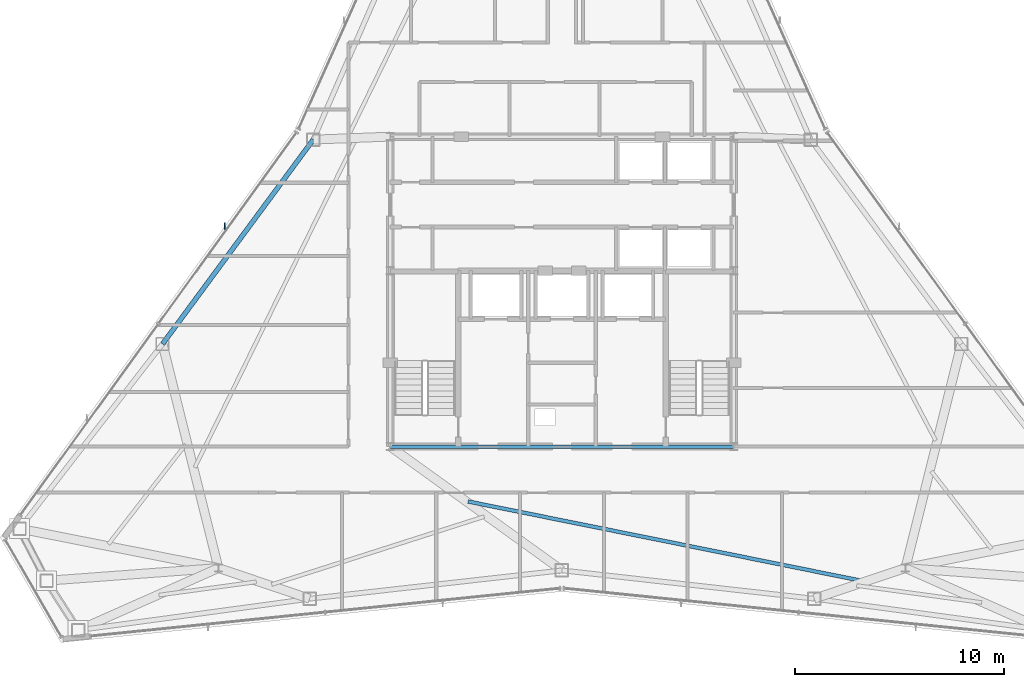
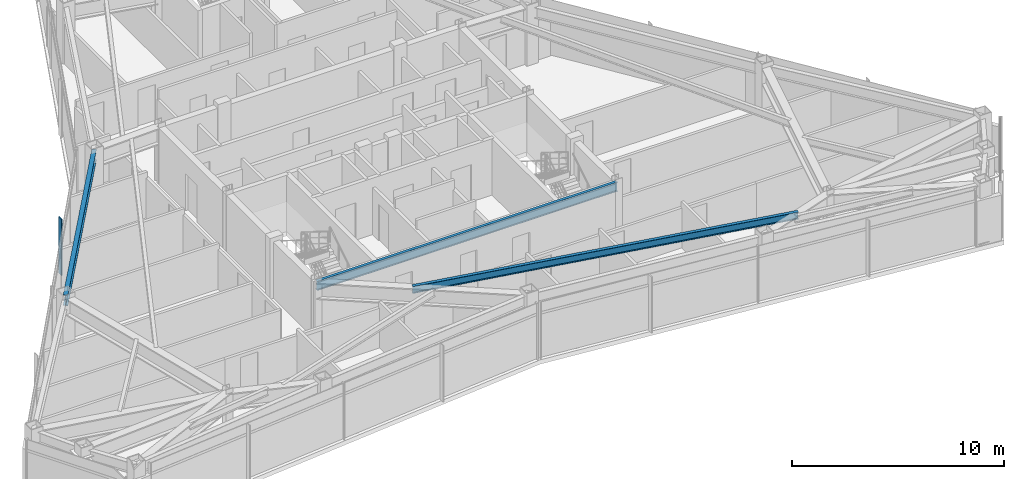
# One storey, part 4 of 12: 3 beams, 1 member, 1 element without a shape of its own.
"""IFC4 building model written with IfcOpenShell, lengths in metres."""

import ifcopenshell
import ifcopenshell.guid

model = None  # the IFC model being written
_history = None  # IfcOwnerHistory: only IFC2X3 demands one
_inside = {}  # id of a spatial element -> (the spatial element, [elements in it])
_under = {}  # id of a project, library or spatial element -> (it, [spatial elements below it])
_declared = {}  # id of a project -> (the project, [libraries it declares])
_typed = {}  # id of a type object -> (the type object, [elements of that type])
_made_of = {}  # id of a material, layer set ... -> (it, [elements and type objects made of it])


def new_model(schema):
    """Start an empty IFC model of exactly this schema.

    Asked for "IFC4X3", IfcOpenShell would pick the latest addendum, in which some entities
    have other attributes; the version numbers below select the first issue.
    IFC2X3 requires an IfcOwnerHistory on every rooted entity: one is made here for all.
    """
    global model, _history
    if schema == "IFC4X3":
        model = ifcopenshell.file(schema_version=(4, 3, 0, 0))
    else:
        model = ifcopenshell.file(schema=schema)
    _inside.clear()
    _under.clear()
    _declared.clear()
    _typed.clear()
    _made_of.clear()
    _history = None
    if model.schema == "IFC2X3":
        org = make("IfcOrganization", Name="unknown")
        user = make(
            "IfcPersonAndOrganization",
            ThePerson=make("IfcPerson", FamilyName="unknown"),
            TheOrganization=org,
        )
        app = make(
            "IfcApplication",
            ApplicationDeveloper=org,
            Version="unknown",
            ApplicationFullName="unknown",
            ApplicationIdentifier="unknown",
        )
        _history = make(
            "IfcOwnerHistory",
            OwningUser=user,
            OwningApplication=app,
            ChangeAction="ADDED",
            CreationDate=0,
        )
    return model


def make(cls, **values):
    """One entity of the class cls with the attributes given. An attribute that is None is left unset."""
    return model.create_entity(
        cls, **{name: value for name, value in values.items() if value is not None}
    )


def rooted(cls, **values):
    """An entity with a GlobalId (a new one), such as an element, a storey or a relation."""
    return make(cls, GlobalId=ifcopenshell.guid.new(), OwnerHistory=_history, **values)


def si_unit(unit_type, name, prefix=None):
    """IfcSIUnit, for example si_unit("LENGTHUNIT", "METRE", prefix="MILLI")."""
    return make("IfcSIUnit", UnitType=unit_type, Prefix=prefix, Name=name)


def assignment(units):
    """IfcUnitAssignment: the units of a project."""
    return None if units is None else make("IfcUnitAssignment", Units=units)


def point(xyz):
    """IfcCartesianPoint."""
    return None if xyz is None else make("IfcCartesianPoint", Coordinates=xyz)


def direction(xyz):
    """IfcDirection."""
    return None if xyz is None else make("IfcDirection", DirectionRatios=xyz)


def frame(location, z_axis=None, x_axis=None):
    """IfcAxis2Placement3D, a coordinate frame: its origin and axes. An axis left out is left unset."""
    return make(
        "IfcAxis2Placement3D",
        Location=point(location),
        Axis=direction(z_axis),
        RefDirection=direction(x_axis),
    )


def frame_2d(location, x_axis=None):
    """IfcAxis2Placement2D, a coordinate frame in the plane: its origin and x axis."""
    return make(
        "IfcAxis2Placement2D", Location=point(location), RefDirection=direction(x_axis)
    )


def origin():
    """The frame at (0, 0, 0) with its axes left unset."""
    return frame((0.0, 0.0, 0.0))


def origin_2d():
    """The frame at (0, 0) in the plane with its x axis left unset."""
    return frame_2d((0.0, 0.0))


def place(relative_to, where):
    """IfcLocalPlacement: puts the frame where relative to a parent placement (None: the world)."""
    return make(
        "IfcLocalPlacement", PlacementRelTo=relative_to, RelativePlacement=where
    )


def context(
    kind, dimensions, precision=None, world=None, true_north=None, identifier=None
):
    """IfcGeometricRepresentationContext, for example the 3D "Model" context."""
    return make(
        "IfcGeometricRepresentationContext",
        ContextIdentifier=identifier,
        ContextType=kind,
        CoordinateSpaceDimension=dimensions,
        Precision=precision,
        WorldCoordinateSystem=world,
        TrueNorth=true_north,
    )


def subcontext(parent, identifier, kind, view, scale=None):
    """IfcGeometricRepresentationSubContext, for example "Body" below "Model"."""
    return make(
        "IfcGeometricRepresentationSubContext",
        ContextIdentifier=identifier,
        ContextType=kind,
        ParentContext=parent,
        TargetScale=scale,
        TargetView=view,
    )


def project(units=None, contexts=None):
    """IfcProject with its units and contexts."""
    return rooted(
        "IfcProject",
        Name="project",
        RepresentationContexts=contexts,
        UnitsInContext=assignment(units),
    )


def spatial(cls, under=None, at=None, **own):
    """A site, building, storey or space (cls), placed at a placement, below another one or the project."""
    s = rooted(cls, ObjectPlacement=at, **own)
    if under is not None:
        _under.setdefault(under.id(), (under, []))[1].append(s)
    return s


def profile(cls, at=None, kind="AREA", **sizes):
    """A parametric profile (cls). Its sizes go by their IFC names, for example OverallWidth=200.0."""
    return make(cls, ProfileType=kind, Position=at, **sizes)


def rectangle(**sizes):
    """IfcRectangleProfileDef."""
    return profile("IfcRectangleProfileDef", **sizes)


def i_section(**sizes):
    """IfcIShapeProfileDef."""
    return profile("IfcIShapeProfileDef", **sizes)


def extrude(swept, where, along, depth):
    """IfcExtrudedAreaSolid: the profile swept, set in the frame where, extruded along a direction by depth."""
    return make(
        "IfcExtrudedAreaSolid",
        SweptArea=swept,
        Position=where,
        ExtrudedDirection=direction(along),
        Depth=depth,
    )


def shape(context_of_items, identifier, shape_type, items):
    """IfcShapeRepresentation: the items that make up one representation, for example the "Body"."""
    return make(
        "IfcShapeRepresentation",
        ContextOfItems=context_of_items,
        RepresentationIdentifier=identifier,
        RepresentationType=shape_type,
        Items=items,
    )


def source(mapping_origin, context_of_items, identifier, shape_type, items):
    """IfcRepresentationMap: a shape defined once, which mapped items show again and again."""
    return make(
        "IfcRepresentationMap",
        MappingOrigin=mapping_origin,
        MappedRepresentation=shape(context_of_items, identifier, shape_type, items),
    )


def transform(
    local_origin,
    x_axis=None,
    y_axis=None,
    z_axis=None,
    scale=None,
    scale2=None,
    scale3=None,
    uniform=True,
):
    """IfcCartesianTransformationOperator3D, or its non-uniform kind. x_axis, y_axis, z_axis: its Axis1, 2, 3."""
    if uniform:
        return make(
            "IfcCartesianTransformationOperator3D",
            Axis1=direction(x_axis),
            Axis2=direction(y_axis),
            LocalOrigin=point(local_origin),
            Scale=scale,
            Axis3=direction(z_axis),
        )
    return make(
        "IfcCartesianTransformationOperator3DnonUniform",
        Axis1=direction(x_axis),
        Axis2=direction(y_axis),
        LocalOrigin=point(local_origin),
        Scale=scale,
        Axis3=direction(z_axis),
        Scale2=scale2,
        Scale3=scale3,
    )


def mapped(mapping_source, mapping_target):
    """IfcMappedItem: shows the shape of a source again, moved by a transform."""
    return make(
        "IfcMappedItem", MappingSource=mapping_source, MappingTarget=mapping_target
    )


def material(Name=None, Category=None):
    """IfcMaterial."""
    return make("IfcMaterial", Name=Name, Category=Category)


def layer(
    of_material, thickness, ventilated=None, Name=None, Category=None, Priority=None
):
    """IfcMaterialLayer: one layer of a wall or slab, of a material (None: an air gap)."""
    return make(
        "IfcMaterialLayer",
        Material=of_material,
        LayerThickness=thickness,
        IsVentilated=ventilated,
        Name=Name,
        Category=Category,
        Priority=Priority,
    )


def layer_set(layers, Name=None):
    """IfcMaterialLayerSet."""
    return make("IfcMaterialLayerSet", MaterialLayers=layers, LayerSetName=Name)


def material_profile(
    of_material, cross_section, Name=None, Category=None, Priority=None
):
    """IfcMaterialProfile: a cross section and its material."""
    return make(
        "IfcMaterialProfile",
        Name=Name,
        Material=of_material,
        Profile=cross_section,
        Priority=Priority,
        Category=Category,
    )


def profile_set(profiles, Name=None, composite=None):
    """IfcMaterialProfileSet."""
    return make(
        "IfcMaterialProfileSet",
        Name=Name,
        MaterialProfiles=profiles,
        CompositeProfile=composite,
    )


def made_of(thing, what):
    """Note that an element or type object is made of a material, layer set ...; save() writes the relation."""
    if what is not None:
        _made_of.setdefault(what.id(), (what, []))[1].append(thing)
    return thing


def type_object(cls, material=None, **own):
    """A type object (cls), such as IfcWallType, which elements share."""
    return made_of(rooted(cls, **own), material)


def type_shapes(of_type, sources):
    """Give a type object the sources (RepresentationMaps) that its elements show as mapped items."""
    of_type.RepresentationMaps = sources


def element(
    cls,
    number,
    at=None,
    inside=None,
    cuts=None,
    type_object=None,
    material=None,
    context=None,
    identifier="Body",
    shape_type=None,
    held_by="IfcProductDefinitionShape",
    body=None,
    shapes=None,
    **own,
):
    """One element of the class cls, such as IfcWall. Its Tag is "e" and its number.

    at: its placement. inside: the storey or other place that contains it. cuts: it is an
    opening in that element (IfcRelVoidsElement). A single representation is given by context,
    identifier, shape_type and body (its items); several are given by shapes. held_by: the class
    of the entity that holds the representations. save() writes the other relations.
    """
    e = rooted(cls, Tag="e%d" % number, ObjectPlacement=at, **own)
    if body is not None:
        shapes = [shape(context, identifier, shape_type, body)]
    if shapes is not None:
        e.Representation = make(held_by, Representations=shapes)
    if inside is not None:
        _inside.setdefault(inside.id(), (inside, []))[1].append(e)
    if cuts is not None:
        rooted(
            "IfcRelVoidsElement", RelatingBuildingElement=cuts, RelatedOpeningElement=e
        )
    if type_object is not None:
        _typed.setdefault(type_object.id(), (type_object, []))[1].append(e)
    return made_of(e, material)


def aggregate(whole, parts):
    """IfcRelAggregates: a whole, such as a stair, and the parts it consists of."""
    return rooted("IfcRelAggregates", RelatingObject=whole, RelatedObjects=parts)


def save(model, path):
    """Write the relations noted so far, then the file.

    IfcRelAggregates (storeys below a building ...), IfcRelContainedInSpatialStructure (elements
    in a storey), IfcRelDefinesByType, IfcRelAssociatesMaterial and IfcRelDeclares: one each for
    every whole, place, type object, material and project.
    """
    for whole, parts in _under.values():
        aggregate(whole, parts)
    for where, things in _inside.values():
        rooted(
            "IfcRelContainedInSpatialStructure",
            RelatedElements=things,
            RelatingStructure=where,
        )
    for kind, things in _typed.values():
        rooted("IfcRelDefinesByType", RelatedObjects=things, RelatingType=kind)
    for what, things in _made_of.values():
        rooted("IfcRelAssociatesMaterial", RelatedObjects=things, RelatingMaterial=what)
    for by, libraries in _declared.values():
        rooted("IfcRelDeclares", RelatingContext=by, RelatedDefinitions=libraries)
    model.write(path)


model = new_model("IFC4")

# Units and contexts
model_context = context("Model", 3, precision=1e-05, world=origin(), true_north=direction((0.0, 1.0)))
body_context = subcontext(model_context, "Body", "Model", "MODEL_VIEW")
ifc_project = project(units=[si_unit("LENGTHUNIT", "METRE"), si_unit("AREAUNIT", "SQUARE_METRE"), si_unit("VOLUMEUNIT", "CUBIC_METRE"), si_unit("PLANEANGLEUNIT", "RADIAN"), si_unit("MASSUNIT", "GRAM", prefix="KILO")], contexts=[model_context])

# Site, building, storey
site_placement = place(None, origin())
site = spatial("IfcSite", under=ifc_project, at=site_placement, CompositionType="ELEMENT")
building_placement = place(site_placement, origin())
building = spatial("IfcBuilding", under=site, at=building_placement, Name="Varakhsha Concourse Tower", CompositionType="ELEMENT")
storey_placement = place(building_placement, frame((0.0, 0.0, 255.0)))
storey = spatial("IfcBuildingStorey", under=building, at=storey_placement, Name="L72", CompositionType="ELEMENT", Elevation=255.0)

# Beams
ifc_material_1 = material(Name="Structural Steel ASTM A992 Grade 50", Category="steel")
ifc_material_profile_1 = material_profile(ifc_material_1, i_section(OverallWidth=0.177978515625, OverallDepth=0.406982421875, WebThickness=0.008056640625, FlangeThickness=0.012939453125, at=origin_2d()), Name="W16X40")
ifc_profile_set_1 = profile_set([ifc_material_profile_1], Name="Structural Steel ASTM A992 Grade 50")
beam_type_1 = type_object("IfcBeamType", Name="BM-JST-W16X40", PredefinedType="JOIST", material=ifc_profile_set_1)
beam_1_placement = place(storey_placement, frame((35.515869140625, 13.77734375, 3.04638671875), z_axis=(0.980297103214, -0.197528705334, 0.0), x_axis=(0.197528705334, 0.980297103214, 0.0)))
element("IfcBeam", 1, at=beam_1_placement, inside=storey, type_object=beam_type_1, Name="BM-TJST-L72-11", PredefinedType="JOIST", context=body_context, shape_type="SweptSolid", body=[
    extrude(i_section(OverallWidth=0.177978515625, OverallDepth=0.406982421875, WebThickness=0.008056640625, FlangeThickness=0.012939453125, at=origin_2d()), origin(), (0.0, 0.0, 1.0), 19.24169921875),
])
ifc_material_profile_2 = material_profile(ifc_material_1, i_section(OverallWidth=0.1669921875, OverallDepth=0.534912109375, WebThickness=0.010009765625, FlangeThickness=0.01708984375, at=origin_2d()), Name="W21X57")
ifc_profile_set_2 = profile_set([ifc_material_profile_2], Name="Structural Steel ASTM A992 Grade 50")
beam_type_2 = type_object("IfcBeamType", Name="BM-RAD-W21X57", PredefinedType="BEAM", material=ifc_profile_set_2)
beam_2_placement = place(storey_placement, frame((31.800048828125, 16.39990234375, 2.982421875), z_axis=(1.0, 0.0, 0.0), x_axis=(0.0, 1.0, 0.0)))
element("IfcBeam", 2, at=beam_2_placement, inside=storey, type_object=beam_type_2, Name="BM-TCORE-L72-CS", PredefinedType="BEAM", context=body_context, shape_type="SweptSolid", body=[
    extrude(i_section(OverallWidth=0.1669921875, OverallDepth=0.534912109375, WebThickness=0.010009765625, FlangeThickness=0.01708984375, at=origin_2d()), origin(), (0.0, 0.0, 1.0), 16.39990234375),
])
ifc_material_profile_3 = material_profile(ifc_material_1, i_section(OverallWidth=0.22900390625, OverallDepth=0.612060546875, WebThickness=0.011962890625, FlangeThickness=0.02001953125, at=origin_2d()), Name="W24X84")
ifc_profile_set_3 = profile_set([ifc_material_profile_3], Name="Structural Steel ASTM A992 Grade 50")
beam_type_3 = type_object("IfcBeamType", Name="BM-SPAN-W24X84", PredefinedType="SPANDREL", material=ifc_profile_set_3)
beam_3_placement = place(storey_placement, frame((28.125732421875, 31.0556640625, 2.944091796875), z_axis=(-0.593635055484, -0.804734379097, 0.0), x_axis=(0.804734379097, -0.593635055484, 0.0)))
element("IfcBeam", 3, at=beam_3_placement, inside=storey, type_object=beam_type_3, Name="BM-SPAN-L72-05", PredefinedType="SPANDREL", context=body_context, shape_type="SweptSolid", body=[
    extrude(i_section(OverallWidth=0.22900390625, OverallDepth=0.612060546875, WebThickness=0.011962890625, FlangeThickness=0.02001953125, at=origin_2d()), origin(), (0.0, 0.0, 1.0), 12.126220703125),
])

# Curtain wall, member
ifc_material_2 = material(Name="Anodised Bronze Architectural Aluminium AA 6063-T6", Category="aluminium")
ifc_layer = layer(ifc_material_2, 0.199951171875, Name="CW-SYS-05")
ifc_layer_set = layer_set([ifc_layer], Name="Anodised Bronze Architectural Aluminium AA 6063-T6")
curtain_wall_type = type_object("IfcCurtainWallType", Name="CW-SYS-05", PredefinedType="NOTDEFINED", material=ifc_layer_set)
curtain_wall_placement = place(storey_placement, origin())
curtain_wall = element("IfcCurtainWall", 4, at=curtain_wall_placement, inside=storey, type_object=curtain_wall_type, Name="L72 Crystal Curtain Wall F3", PredefinedType="NOTDEFINED")
ifc_material_profile_4 = material_profile(ifc_material_2, rectangle(XDim=0.054931640625, YDim=0.300048828125, at=origin_2d()), Name="FIN-BRZ-300")
ifc_profile_set_4 = profile_set([ifc_material_profile_4], Name="Anodised Bronze Architectural Aluminium AA 6063-T6")
member_type = type_object("IfcMemberType", Name="FIN-BRZ-300", PredefinedType="USERDEFINED", material=ifc_profile_set_4)
shared_shape = source(origin(), body_context, "Body", "SweptSolid", [
    extrude(rectangle(XDim=0.054931640625, YDim=0.300048828125, at=origin_2d()), origin(), (0.0, 0.0, 1.0), 3.25),
])
type_shapes(member_type, [shared_shape])
member_placement = place(storey_placement, frame((23.89990234375, 26.92919921875, 0.0), z_axis=(0.0, 0.0, 1.0), x_axis=(1.0, 0.0, 0.0)))
member = element("IfcMember", 5, at=member_placement, type_object=member_type, Name="L72 Anodised Bronze Solar Fin F3-2", ObjectType="SOLAR FIN", PredefinedType="USERDEFINED", context=body_context, shape_type="MappedRepresentation", body=[
    mapped(shared_shape, transform((0.0, 0.0, 0.0), scale=1.0)),
])
aggregate(curtain_wall, [member])

save(model, "model.ifc")
